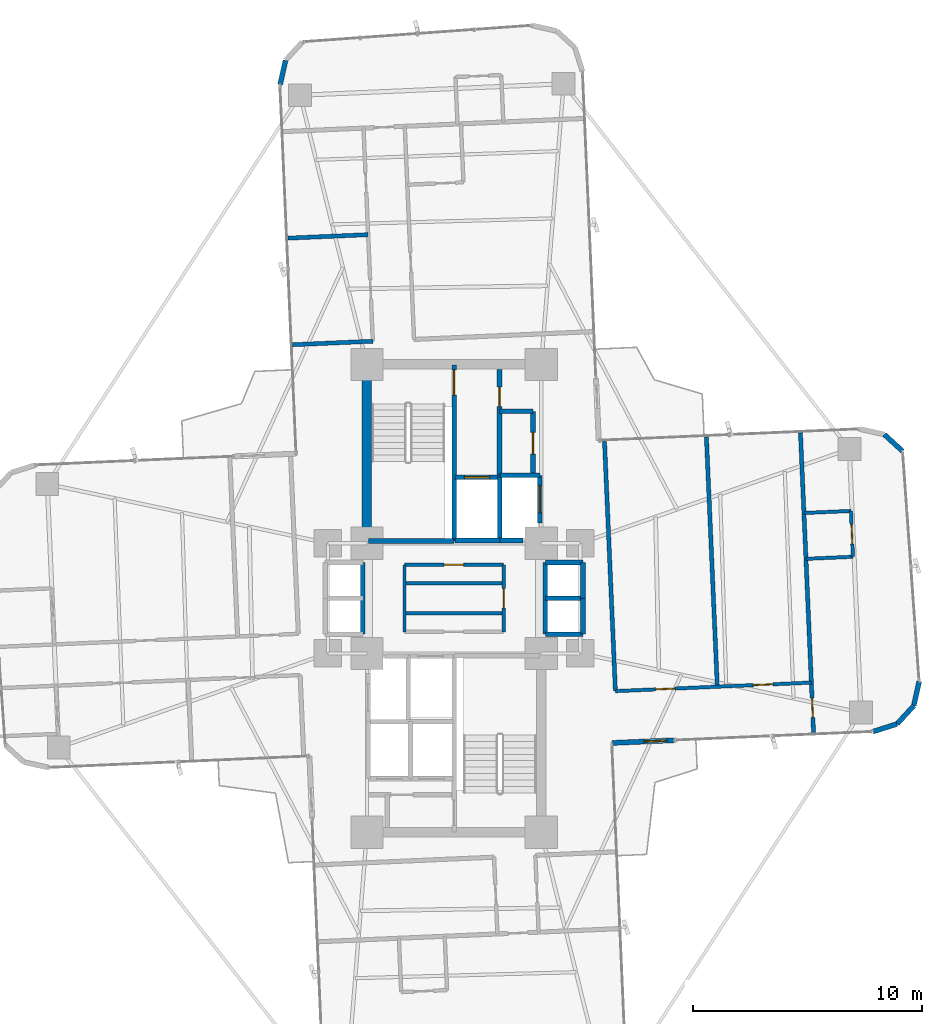
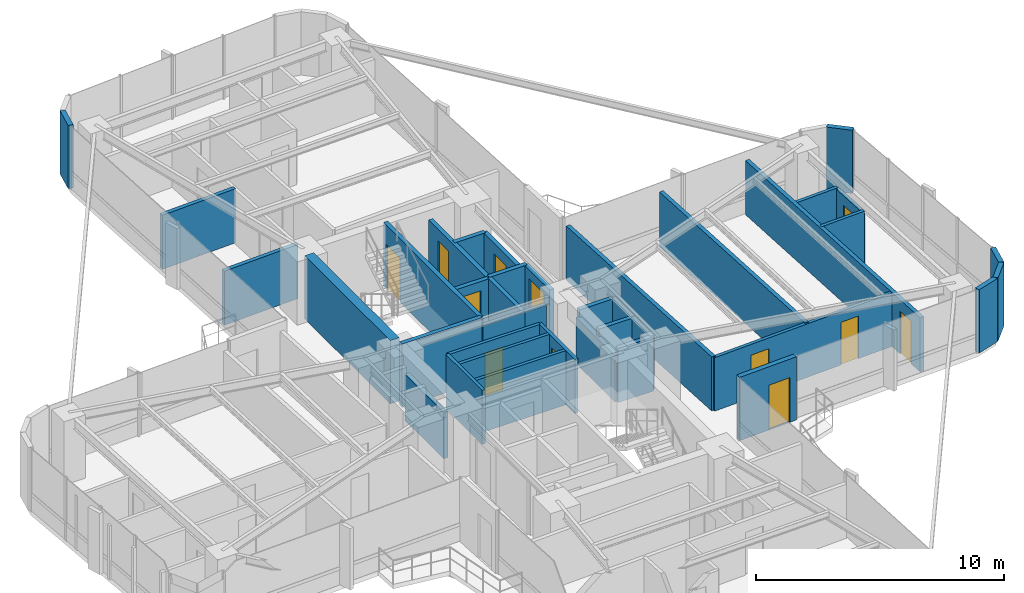
# One storey, part 24 of 26: 39 walls, 12 doors, 12 openings.
"""IFC4 building model written with IfcOpenShell, lengths in metres."""

from ifc_helpers import new_model, si_unit, direction, frame, frame_2d, origin, origin_2d, place, context, subcontext, project, spatial, rectangle, extrude, source, transform, mapped, material, layer, layer_set, type_object, element, fill, save


model = new_model("IFC4")

# Units and contexts
model_context = context("Model", 3, precision=1e-05, world=origin(), true_north=direction((0.0, 1.0)))
body_context = subcontext(model_context, "Body", "Model", "MODEL_VIEW")
ifc_project = project(units=[si_unit("LENGTHUNIT", "METRE"), si_unit("AREAUNIT", "SQUARE_METRE"), si_unit("VOLUMEUNIT", "CUBIC_METRE"), si_unit("PLANEANGLEUNIT", "RADIAN"), si_unit("MASSUNIT", "GRAM", prefix="KILO")], contexts=[model_context])

# Site, building, storey
site_placement = place(None, origin())
site = spatial("IfcSite", under=ifc_project, at=site_placement, CompositionType="ELEMENT")
building_placement = place(site_placement, origin())
building = spatial("IfcBuilding", under=site, at=building_placement, Name="Sahyath Konkavel Grand Hotel", CompositionType="ELEMENT")
storey_placement = place(building_placement, frame((0.0, 0.0, 124.85009765625)))
storey = spatial("IfcBuildingStorey", under=building, at=storey_placement, Name="L34", CompositionType="ELEMENT", Elevation=124.85009765625)

# Wall
ifc_material_1 = material(Name="Concrete C50/60", Category="concrete")
ifc_layer_1 = layer(ifc_material_1, 0.419921875)
ifc_layer_set_1 = layer_set([ifc_layer_1], Name="Concrete C50/60")
wall_type_1 = type_object("IfcWallType", Name="CWALL-420", PredefinedType="SHEAR", material=ifc_layer_set_1)
wall_1_placement = place(storey_placement, frame((-3.800048828125, 2.85009765625, 0.0), z_axis=(0.0, 0.0, 1.0), x_axis=(0.0, 1.0, 0.0)))
element("IfcWall", 1, at=wall_1_placement, inside=storey, type_object=wall_type_1, Name="L34 North Core Shear Wall W", PredefinedType="SHEAR", context=body_context, shape_type="SweptSolid", body=[
    extrude(rectangle(XDim=6.89990234375, YDim=0.419921875, at=frame_2d((3.449951171875, 0.0))), origin(), (0.0, 0.0, 1.0), 3.10986328125),
])

# Wall, opening, door
ifc_material_2 = material(Name="Warm Buff Sandstone Insulated Concrete C40/50", Category="masonry")
ifc_layer_2 = layer(ifc_material_2, 0.219970703125)
ifc_layer_set_2 = layer_set([ifc_layer_2], Name="Warm Buff Sandstone Insulated Concrete C40/50")
wall_type_2 = type_object("IfcWallType", Name="WLL-BALC-THRESH", PredefinedType="STANDARD", material=ifc_layer_set_2)
wall_2_placement = place(storey_placement, frame((6.881591796875, -6.305908203125, 0.0), z_axis=(0.0, 0.0, 1.0), x_axis=(0.999045894436, 0.043672655174, 0.0)))
wall_2 = element("IfcWall", 2, at=wall_2_placement, inside=storey, type_object=wall_type_2, Name="L34 Winter-Garden Threshold Wall 0", PredefinedType="STANDARD", context=body_context, shape_type="SweptSolid", body=[
    extrude(rectangle(XDim=2.7001953125, YDim=0.219970703125, at=frame_2d((1.35009765625, 0.0))), origin(), (0.0, 0.0, 1.0), 3.10986328125),
])
opening_1_placement = place(wall_2_placement, frame((1.39990234375, 0.0, 0.0)))
opening_1 = element("IfcOpeningElement", 3, at=opening_1_placement, cuts=wall_2, Name="Opening D-TR1", PredefinedType="OPENING", context=body_context, shape_type="SweptSolid", body=[
    extrude(rectangle(XDim=1.0, YDim=2.199951171875, at=frame_2d((0.5, 1.10009765625))), frame((0.0, 0.1201171875, 0.0), z_axis=(0.0, -1.0, 0.0), x_axis=(1.0, 0.0, 0.0)), (0.0, 0.0, 1.0), 0.239990234375),
])
ifc_material_3 = material(Name="Anodised Bronze Aluminium & Low-E Glazing", Category="aluminium")
door_type_1 = type_object("IfcDoorType", Name="DR-TERRACE-1000", OperationType="NOTDEFINED", PredefinedType="DOOR", material=ifc_material_3)
shared_shape_1 = source(origin(), body_context, "Body", "SweptSolid", [
    extrude(rectangle(XDim=1.0, YDim=0.050048828125, at=origin_2d()), origin(), (0.0, 0.0, 1.0), 2.199951171875),
])
door_1_placement = place(opening_1_placement, frame((0.5, 0.0, 0.0)))
door_1 = element("IfcDoor", 4, at=door_1_placement, inside=storey, type_object=door_type_1, Name="L34 Winter-Garden Terrace Door 0", OperationType="SINGLE_SWING_LEFT", OverallHeight=2.199951171875, OverallWidth=1.0, PredefinedType="DOOR", context=body_context, shape_type="MappedRepresentation", body=[
    mapped(shared_shape_1, transform((0.0, 0.0, 0.0), scale=1.0)),
])
fill(opening_1, door_1)

# Walls
for number, where, z_axis, x_axis, name in (
    (5, (18.270751953125, -5.80859375, 0.0), (0.0, 0.0, 1.0), (0.953721713582, 0.30069069331, 0.0), "L34 Rounded Corner Sandstone Pier 1"),
    (6, (19.3076171875, -5.481689453125, 0.0), (0.0, 0.0, 1.0), (0.675551721847, 0.737312600672, 0.0), "L34 Rounded Corner Sandstone Pier 2"),
):
    element("IfcWall", number, at=place(storey_placement, frame(where, z_axis=z_axis, x_axis=x_axis)), inside=storey, type_object=wall_type_2, Name=name, PredefinedType="STANDARD", context=body_context, shape_type="SweptSolid", body=[
        extrude(rectangle(XDim=1.087158203125, YDim=0.219970703125, at=frame_2d((0.54345703125, 0.0))), origin(), (0.0, 0.0, 1.0), 3.10986328125),
    ])
for number, where, z_axis, x_axis, name in (
    (7, (20.0419921875, -4.68017578125, 0.0), (0.0, 0.0, 1.0), (0.216288323511, 0.976329535102, 0.0), "L34 Rounded Corner Sandstone Pier 3"),
    (8, (19.5576171875, 6.4091796875, 0.0), (0.0, 0.0, 1.0), (-0.737210081318, 0.675663596772, 0.0), "L34 Rounded Corner Sandstone Pier 5"),
):
    element("IfcWall", number, at=place(storey_placement, frame(where, z_axis=z_axis, x_axis=x_axis)), inside=storey, type_object=wall_type_2, Name=name, PredefinedType="STANDARD", context=body_context, shape_type="SweptSolid", body=[
        extrude(rectangle(XDim=1.0869140625, YDim=0.219970703125, at=frame_2d((0.54345703125, 0.0))), origin(), (0.0, 0.0, 1.0), 3.10986328125),
    ])
wall_3_placement = place(storey_placement, frame((-7.3486328125, 23.451904296875, 0.0), z_axis=(0.0, 0.0, 1.0), x_axis=(-0.216454939174, -0.976292609471, 0.0)))
element("IfcWall", 9, at=wall_3_placement, inside=storey, type_object=wall_type_2, Name="L34 Rounded Corner Sandstone Pier 14", PredefinedType="STANDARD", context=body_context, shape_type="SweptSolid", body=[
    extrude(rectangle(XDim=1.08740234375, YDim=0.219970703125, at=frame_2d((0.543701171875, 0.0))), origin(), (0.0, 0.0, 1.0), 3.10986328125),
])

# Wall, opening, door
ifc_material_4 = material(Name="Concrete C40/50", Category="concrete")
ifc_layer_3 = layer(ifc_material_4, 0.199951171875)
ifc_layer_set_3 = layer_set([ifc_layer_3], Name="Concrete C40/50")
wall_type_3 = type_object("IfcWallType", Name="WLL-CORE-200", PredefinedType="SOLIDWALL", material=ifc_layer_set_3)
wall_4_placement = place(storey_placement, frame((0.0, 2.5, 0.0), z_axis=(0.0, 0.0, 1.0), x_axis=(0.0, 1.0, 0.0)))
wall_4 = element("IfcWall", 10, at=wall_4_placement, inside=storey, type_object=wall_type_3, Name="L34 Stair ST-1 Shaft Wall E", PredefinedType="SOLIDWALL", context=body_context, shape_type="SweptSolid", body=[
    extrude(rectangle(XDim=7.679931640625, YDim=0.199951171875, at=frame_2d((3.83984375, 0.0))), origin(), (0.0, 0.0, 1.0), 3.10986328125),
])
opening_2_placement = place(wall_4_placement, frame((6.360107421875, 0.0, 0.0)))
opening_2 = element("IfcOpeningElement", 11, at=opening_2_placement, cuts=wall_4, Name="Opening D-F12B", PredefinedType="OPENING", context=body_context, shape_type="SweptSolid", body=[
    extrude(rectangle(XDim=1.10009765625, YDim=2.14990234375, at=frame_2d((0.550048828125, 1.074951171875))), frame((0.0, 0.10986328125, 0.0), z_axis=(0.0, -1.0, 0.0), x_axis=(1.0, 0.0, 0.0)), (0.0, 0.0, 1.0), 0.219970703125),
])
ifc_material_5 = material(Name="Steel E350 Smokeproof Fire Door", Category="steel")
door_type_2 = type_object("IfcDoorType", Name="DR-FD120-1100", OperationType="NOTDEFINED", PredefinedType="DOOR", material=ifc_material_5)
shared_shape_2 = source(origin(), body_context, "Body", "SweptSolid", [
    extrude(rectangle(XDim=1.10009765625, YDim=0.050048828125, at=origin_2d()), origin(), (0.0, 0.0, 1.0), 2.14990234375),
])
door_2_placement = place(opening_2_placement, frame((0.550048828125, 0.0, 0.0)))
door_2 = element("IfcDoor", 12, at=door_2_placement, inside=storey, type_object=door_type_2, Name="L34 Stair ST-1 Fire Door", OperationType="SINGLE_SWING_RIGHT", OverallHeight=2.14990234375, OverallWidth=1.10009765625, PredefinedType="DOOR", context=body_context, shape_type="MappedRepresentation", body=[
    mapped(shared_shape_2, transform((0.0, 0.0, 0.0), scale=1.0)),
])
fill(opening_2, door_2)

# Wall
wall_5_placement = place(storey_placement, frame((-3.719970703125, 2.5, 0.0), z_axis=(0.0, 0.0, 1.0), x_axis=(1.0, 0.0, 0.0)))
element("IfcWall", 13, at=wall_5_placement, inside=storey, type_object=wall_type_3, Name="L34 Stair ST-1 Shaft Wall S", PredefinedType="SOLIDWALL", context=body_context, shape_type="SweptSolid", body=[
    extrude(rectangle(XDim=3.719970703125, YDim=0.199951171875, at=frame_2d((1.85986328125, 0.0))), origin(), (0.0, 0.0, 1.0), 3.10986328125),
])

# Wall, opening, door
wall_6_placement = place(storey_placement, frame((1.97998046875, 5.320068359375, 0.0), z_axis=(0.0, 0.0, 1.0), x_axis=(0.0, 1.0, 0.0)))
wall_6 = element("IfcWall", 14, at=wall_6_placement, inside=storey, type_object=wall_type_3, Name="L34 North Firefighting Lobby Wall E", PredefinedType="SOLIDWALL", context=body_context, shape_type="SweptSolid", body=[
    extrude(rectangle(XDim=4.659912109375, YDim=0.199951171875, at=frame_2d((2.330078125, 0.0))), origin(), (0.0, 0.0, 1.0), 2.659912109375),
])
opening_3_placement = place(wall_6_placement, frame((3.0400390625, 0.0, 0.0)))
opening_3 = element("IfcOpeningElement", 15, at=opening_3_placement, cuts=wall_6, Name="Opening D-F12D", PredefinedType="OPENING", context=body_context, shape_type="SweptSolid", body=[
    extrude(rectangle(XDim=0.85009765625, YDim=2.10009765625, at=frame_2d((0.425048828125, 1.050048828125))), frame((0.0, 0.10986328125, 0.0), z_axis=(0.0, -1.0, 0.0), x_axis=(1.0, 0.0, 0.0)), (0.0, 0.0, 1.0), 0.219970703125),
])
ifc_material_6 = material(Name="Steel E350 Core Fire Door", Category="steel")
door_type_3 = type_object("IfcDoorType", Name="DR-FD120-850", OperationType="NOTDEFINED", PredefinedType="DOOR", material=ifc_material_6)
shared_shape_3 = source(origin(), body_context, "Body", "SweptSolid", [
    extrude(rectangle(XDim=0.85009765625, YDim=0.050048828125, at=origin_2d()), origin(), (0.0, 0.0, 1.0), 2.10009765625),
])
door_3_placement = place(opening_3_placement, frame((0.425048828125, 0.0, 0.0)))
door_3 = element("IfcDoor", 16, at=door_3_placement, inside=storey, type_object=door_type_3, Name="L34 North Firefighting Lobby Door", OperationType="SINGLE_SWING_RIGHT", OverallHeight=2.10009765625, OverallWidth=0.85009765625, PredefinedType="DOOR", context=body_context, shape_type="MappedRepresentation", body=[
    mapped(shared_shape_3, transform((0.0, 0.0, 0.0), scale=1.0)),
])
fill(opening_3, door_3)

# Walls
wall_7_placement = place(storey_placement, frame((2.0, 2.5, 0.0), z_axis=(0.0, 0.0, 1.0), x_axis=(0.0, 1.0, 0.0)))
element("IfcWall", 17, at=wall_7_placement, inside=storey, type_object=wall_type_3, Name="L34 Partition SH-FFL1-E", PredefinedType="SOLIDWALL", context=body_context, shape_type="SweptSolid", body=[
    extrude(rectangle(XDim=2.780029296875, YDim=0.199951171875, at=frame_2d((1.39013671875, 0.0))), origin(), (0.0, 0.0, 1.0), 2.659912109375),
])
wall_8_placement = place(storey_placement, frame((0.050048828125, 2.52001953125, 0.0), z_axis=(0.0, 0.0, 1.0), x_axis=(1.0, 0.0, 0.0)))
element("IfcWall", 18, at=wall_8_placement, inside=storey, type_object=wall_type_3, Name="L34 Partition SH-FFL1-S", PredefinedType="SOLIDWALL", context=body_context, shape_type="SweptSolid", body=[
    extrude(rectangle(XDim=1.949951171875, YDim=0.199951171875, at=frame_2d((0.97509765625, 0.0))), origin(), (0.0, 0.0, 1.0), 2.659912109375),
])

# Wall, opening, door
wall_9_placement = place(storey_placement, frame((0.050048828125, 5.280029296875, 0.0), z_axis=(0.0, 0.0, 1.0), x_axis=(1.0, 0.0, 0.0)))
wall_9 = element("IfcWall", 19, at=wall_9_placement, inside=storey, type_object=wall_type_3, Name="L34 Partition SH-FFL1-N", PredefinedType="SOLIDWALL", context=body_context, shape_type="SweptSolid", body=[
    extrude(rectangle(XDim=1.929931640625, YDim=0.199951171875, at=frame_2d((0.96484375, 0.0))), origin(), (0.0, 0.0, 1.0), 2.659912109375),
])
opening_4_placement = place(wall_9_placement, frame((0.39990234375, 0.0, 0.0)))
opening_4 = element("IfcOpeningElement", 20, at=opening_4_placement, cuts=wall_9, Name="Opening LD-11", PredefinedType="OPENING", context=body_context, shape_type="SweptSolid", body=[
    extrude(rectangle(XDim=1.10009765625, YDim=2.199951171875, at=frame_2d((0.550048828125, 1.10009765625))), frame((0.0, 0.10986328125, 0.0), z_axis=(0.0, -1.0, 0.0), x_axis=(1.0, 0.0, 0.0)), (0.0, 0.0, 1.0), 0.219970703125),
])
ifc_material_7 = material(Name="Bronze Lift Landing Door 1100")
door_type_4 = type_object("IfcDoorType", Name="DR-LIFT-1100", OperationType="DOUBLE_DOOR_SLIDING", PredefinedType="DOOR", material=ifc_material_7)
shared_shape_4 = source(origin(), body_context, "Body", "SweptSolid", [
    extrude(rectangle(XDim=1.10009765625, YDim=0.050048828125, at=origin_2d()), origin(), (0.0, 0.0, 1.0), 2.199951171875),
])
door_4_placement = place(opening_4_placement, frame((0.550048828125, 0.0, 0.0)))
door_4 = element("IfcDoor", 21, at=door_4_placement, inside=storey, type_object=door_type_4, Name="L34 Lift FFL-1 Landing Door", OperationType="DOUBLE_DOOR_SLIDING", OverallHeight=2.199951171875, OverallWidth=1.10009765625, PredefinedType="DOOR", context=body_context, shape_type="MappedRepresentation", body=[
    mapped(shared_shape_4, transform((0.0, 0.0, 0.0), scale=1.0)),
])
fill(opening_4, door_4)

# Walls
wall_10_placement = place(storey_placement, frame((2.0, 2.52001953125, 0.0), z_axis=(0.0, 0.0, 1.0), x_axis=(1.0, 0.0, 0.0)))
element("IfcWall", 22, at=wall_10_placement, inside=storey, type_object=wall_type_3, Name="L34 Partition SH-SVL1-S", PredefinedType="SOLIDWALL", context=body_context, shape_type="SweptSolid", body=[
    extrude(rectangle(XDim=1.0, YDim=0.199951171875, at=frame_2d((0.5, 0.0))), origin(), (0.0, 0.0, 1.0), 2.659912109375),
])
wall_11_placement = place(storey_placement, frame((2.0, 5.360107421875, 0.0), z_axis=(0.0, 0.0, 1.0), x_axis=(1.0, 0.0, 0.0)))
element("IfcWall", 23, at=wall_11_placement, inside=storey, type_object=wall_type_3, Name="L34 Partition SH-SVL1-N", PredefinedType="SOLIDWALL", context=body_context, shape_type="SweptSolid", body=[
    extrude(rectangle(XDim=1.739990234375, YDim=0.199951171875, at=frame_2d((0.8701171875, 0.0))), origin(), (0.0, 0.0, 1.0), 2.659912109375),
])

# Wall, opening, door
wall_12_placement = place(storey_placement, frame((3.739990234375, 3.280029296875, 0.0), z_axis=(0.0, 0.0, 1.0), x_axis=(0.0, 1.0, 0.0)))
wall_12 = element("IfcWall", 24, at=wall_12_placement, inside=storey, type_object=wall_type_3, Name="L34 Partition SH-SVL1-E", PredefinedType="SOLIDWALL", context=body_context, shape_type="SweptSolid", body=[
    extrude(rectangle(XDim=2.080078125, YDim=0.199951171875, at=frame_2d((1.0400390625, 0.0))), origin(), (0.0, 0.0, 1.0), 2.659912109375),
])
opening_5_placement = place(wall_12_placement, frame((0.43994140625, 0.0, 0.0)))
opening_5 = element("IfcOpeningElement", 25, at=opening_5_placement, cuts=wall_12, Name="Opening LD-12", PredefinedType="OPENING", context=body_context, shape_type="SweptSolid", body=[
    extrude(rectangle(XDim=1.199951171875, YDim=2.199951171875, at=frame_2d((0.60009765625, 1.10009765625))), frame((0.0, 0.10986328125, 0.0), z_axis=(0.0, -1.0, 0.0), x_axis=(1.0, 0.0, 0.0)), (0.0, 0.0, 1.0), 0.219970703125),
])
ifc_material_8 = material(Name="Stainless Steel Lift Landing Door 1200", Category="steel")
door_type_5 = type_object("IfcDoorType", Name="DR-LIFT-1200", OperationType="DOUBLE_DOOR_SLIDING", PredefinedType="DOOR", material=ifc_material_8)
shared_shape_5 = source(origin(), body_context, "Body", "SweptSolid", [
    extrude(rectangle(XDim=1.199951171875, YDim=0.050048828125, at=origin_2d()), origin(), (0.0, 0.0, 1.0), 2.199951171875),
])
door_5_placement = place(opening_5_placement, frame((0.60009765625, 0.0, 0.0)))
door_5 = element("IfcDoor", 26, at=door_5_placement, inside=storey, type_object=door_type_5, Name="L34 Service Lift SVL-1 Landing Door", OperationType="DOUBLE_DOOR_SLIDING", OverallHeight=2.199951171875, OverallWidth=1.199951171875, PredefinedType="DOOR", context=body_context, shape_type="MappedRepresentation", body=[
    mapped(shared_shape_5, transform((0.0, 0.0, 0.0), scale=1.0)),
])
fill(opening_5, door_5)

# Walls
wall_13_placement = place(storey_placement, frame((3.97998046875, -1.56005859375, 0.0), z_axis=(0.0, 0.0, 1.0), x_axis=(0.0, 1.0, 0.0)))
element("IfcWall", 27, at=wall_13_placement, inside=storey, type_object=wall_type_3, Name="L34 Partition SH-PL56-W", PredefinedType="SOLIDWALL", context=body_context, shape_type="SweptSolid", body=[
    extrude(rectangle(XDim=3.1201171875, YDim=0.199951171875, at=frame_2d((1.56005859375, 0.0))), origin(), (0.0, 0.0, 1.0), 2.27978515625),
])
for number, where, z_axis, x_axis, name in (
    (28, (3.97998046875, 1.56005859375, 0.0), (0.0, 0.0, 1.0), (1.0, 0.0, 0.0), "L34 Partition SH-PL56-N"),
    (29, (3.97998046875, -1.56005859375, 0.0), (0.0, 0.0, 1.0), (1.0, 0.0, 0.0), "L34 Partition SH-PL56-S"),
    (30, (3.97998046875, 0.0, 0.0), (0.0, 0.0, 1.0), (1.0, 0.0, 0.0), "L34 Partition SH-PL56-M"),
):
    element("IfcWall", number, at=place(storey_placement, frame(where, z_axis=z_axis, x_axis=x_axis)), inside=storey, type_object=wall_type_3, Name=name, PredefinedType="SOLIDWALL", context=body_context, shape_type="SweptSolid", body=[
        extrude(rectangle(XDim=1.64013671875, YDim=0.199951171875, at=frame_2d((0.820068359375, 0.0))), origin(), (0.0, 0.0, 1.0), 2.659912109375),
    ])
for number, where, z_axis, x_axis, name in (
    (31, (5.6201171875, 0.0, 0.0), (0.0, 0.0, 1.0), (0.0, 1.0, 0.0), "L34 Partition SH-PL5-E"),
    (32, (5.6201171875, -1.56005859375, 0.0), (0.0, 0.0, 1.0), (0.0, 1.0, 0.0), "L34 Partition SH-PL6-E"),
):
    element("IfcWall", number, at=place(storey_placement, frame(where, z_axis=z_axis, x_axis=x_axis)), inside=storey, type_object=wall_type_3, Name=name, PredefinedType="SOLIDWALL", context=body_context, shape_type="SweptSolid", body=[
        extrude(rectangle(XDim=1.56005859375, YDim=0.199951171875, at=frame_2d((0.780029296875, 0.0))), origin(), (0.0, 0.0, 1.0), 2.659912109375),
    ])
wall_14_placement = place(storey_placement, frame((-3.97998046875, -1.56005859375, 0.0), z_axis=(0.0, 0.0, 1.0), x_axis=(0.0, 1.0, 0.0)))
element("IfcWall", 33, at=wall_14_placement, inside=storey, type_object=wall_type_3, Name="L34 Partition SH-SL12-E", PredefinedType="SOLIDWALL", context=body_context, shape_type="SweptSolid", body=[
    extrude(rectangle(XDim=3.1201171875, YDim=0.199951171875, at=frame_2d((1.56005859375, 0.0))), origin(), (0.0, 0.0, 1.0), 2.27978515625),
])

# Wall, opening, door
wall_15_placement = place(storey_placement, frame((3.43994140625, 5.3798828125, 0.0), z_axis=(0.0, 0.0, 1.0), x_axis=(0.0, 1.0, 0.0)))
wall_15 = element("IfcWall", 34, at=wall_15_placement, inside=storey, type_object=wall_type_3, Name="L34 Reclaimed North Core Wall E", PredefinedType="SOLIDWALL", context=body_context, shape_type="SweptSolid", body=[
    extrude(rectangle(XDim=2.77001953125, YDim=0.199951171875, at=frame_2d((1.385009765625, 0.0))), origin(), (0.0, 0.0, 1.0), 2.659912109375),
])
opening_6_placement = place(wall_15_placement, frame((0.89990234375, 0.0, 0.0)))
opening_6 = element("IfcOpeningElement", 35, at=opening_6_placement, cuts=wall_15, Name="Opening D-F06B", PredefinedType="OPENING", context=body_context, shape_type="SweptSolid", body=[
    extrude(rectangle(XDim=0.949951171875, YDim=2.14990234375, at=frame_2d((0.47509765625, 1.074951171875))), frame((0.0, 0.10986328125, 0.0), z_axis=(0.0, -1.0, 0.0), x_axis=(1.0, 0.0, 0.0)), (0.0, 0.0, 1.0), 0.219970703125),
])
ifc_material_9 = material(Name="Teak Veneer Fire-Rated Guest Entrance Door")
door_type_6 = type_object("IfcDoorType", Name="DR-FD60-950", OperationType="NOTDEFINED", PredefinedType="DOOR", material=ifc_material_9)
shared_shape_6 = source(origin(), body_context, "Body", "SweptSolid", [
    extrude(rectangle(XDim=0.949951171875, YDim=0.050048828125, at=origin_2d()), origin(), (0.0, 0.0, 1.0), 2.14990234375),
])
door_6_placement = place(opening_6_placement, frame((0.47509765625, 0.0, 0.0)))
door_6 = element("IfcDoor", 36, at=door_6_placement, inside=storey, type_object=door_type_6, Name="L34 Door NC-REC1-D", OperationType="SINGLE_SWING_LEFT", OverallHeight=2.14990234375, OverallWidth=0.949951171875, PredefinedType="DOOR", context=body_context, shape_type="MappedRepresentation", body=[
    mapped(shared_shape_6, transform((0.0, 0.0, 0.0), scale=1.0)),
])
fill(opening_6, door_6)

# Walls
wall_16_placement = place(storey_placement, frame((1.97998046875, 8.14990234375, 0.0), z_axis=(0.0, 0.0, 1.0), x_axis=(1.0, 0.0, 0.0)))
element("IfcWall", 37, at=wall_16_placement, inside=storey, type_object=wall_type_3, Name="L34 Partition NC-REC-N", PredefinedType="SOLIDWALL", context=body_context, shape_type="SweptSolid", body=[
    extrude(rectangle(XDim=1.4599609375, YDim=0.199951171875, at=frame_2d((0.72998046875, 0.0))), origin(), (0.0, 0.0, 1.0), 2.659912109375),
])
ifc_material_10 = material(Name="Twin-Stud Acoustic Gypsum Plasterboard Partition")
ifc_layer_4 = layer(ifc_material_10, 0.179931640625)
ifc_layer_set_4 = layer_set([ifc_layer_4], Name="Twin-Stud Acoustic Gypsum Plasterboard Partition")
wall_type_4 = type_object("IfcWallType", Name="WLL-DEMISE-180", PredefinedType="PARTITIONING", material=ifc_layer_set_4)
wall_17_placement = place(storey_placement, frame((7.033203125, -4.047119140625, 0.0), z_axis=(0.0, 0.0, 1.0), x_axis=(-0.043609267053, 0.999048663393, 0.0)))
element("IfcWall", 38, at=wall_17_placement, inside=storey, type_object=wall_type_4, Name="L34 Partition E-G6I", PredefinedType="PARTITIONING", context=body_context, shape_type="SweptSolid", body=[
    extrude(rectangle(XDim=10.89990234375, YDim=0.179931640625, at=frame_2d((5.449951171875, 0.0))), origin(), (0.0, 0.0, 1.0), 2.659912109375),
])
wall_18_placement = place(storey_placement, frame((11.47509765625, -3.85302734375, 0.0), z_axis=(0.0, 0.0, 1.0), x_axis=(-0.043631622609, 0.999047687305, 0.0)))
element("IfcWall", 39, at=wall_18_placement, inside=storey, type_object=wall_type_4, Name="L34 Partition E-ESL6-DEM", PredefinedType="PARTITIONING", context=body_context, shape_type="SweptSolid", body=[
    extrude(rectangle(XDim=10.900146484375, YDim=0.179931640625, at=frame_2d((5.4501953125, 0.0))), origin(), (0.0, 0.0, 1.0), 2.659912109375),
])

# Wall, opening, door
wall_19_placement = place(storey_placement, frame((15.6708984375, -5.8720703125, 0.0), z_axis=(0.0, 0.0, 1.0), x_axis=(-0.043609488494, 0.999048653727, 0.0)))
wall_19 = element("IfcWall", 40, at=wall_19_placement, inside=storey, type_object=wall_type_4, Name="L34 Partition E-ETIP-END", PredefinedType="PARTITIONING", context=body_context, shape_type="SweptSolid", body=[
    extrude(rectangle(XDim=13.10009765625, YDim=0.179931640625, at=frame_2d((6.550048828125, 0.0))), origin(), (0.0, 0.0, 1.0), 2.659912109375),
])
opening_7_placement = place(wall_19_placement, frame((0.675048828125, 0.0, 0.0)))
opening_7 = element("IfcOpeningElement", 41, at=opening_7_placement, cuts=wall_19, Name="Opening D-F06D", PredefinedType="OPENING", context=body_context, shape_type="SweptSolid", body=[
    extrude(rectangle(XDim=0.85009765625, YDim=2.10009765625, at=frame_2d((0.425048828125, 1.050048828125))), frame((0.0, 0.10009765625, 0.0), z_axis=(0.0, -1.0, 0.0), x_axis=(1.0, 0.0, 0.0)), (0.0, 0.0, 1.0), 0.199951171875),
])
ifc_material_11 = material(Name="Fire-Rated Shaft Access Door")
door_type_7 = type_object("IfcDoorType", Name="DR-FD60-850", OperationType="NOTDEFINED", PredefinedType="DOOR", material=ifc_material_11)
door_7_placement = place(opening_7_placement, frame((0.425048828125, 0.0, 0.0)))
door_7 = element("IfcDoor", 42, at=door_7_placement, inside=storey, type_object=door_type_7, Name="L34 Door E-ETIP-ED", OperationType="SINGLE_SWING_RIGHT", OverallHeight=2.10009765625, OverallWidth=0.85009765625, PredefinedType="DOOR", context=body_context, shape_type="MappedRepresentation", body=[
    mapped(shared_shape_3, transform((0.0, 0.0, 0.0), scale=1.0)),
])
fill(opening_7, door_7)

# Walls
for number, where, z_axis, x_axis, name in (
    (43, (-3.542236328125, 11.206298828125, 0.0), (0.0, 0.0, 1.0), (-0.999046129111, -0.04366728647, 0.0), "L34 Partition N-INL"),
    (44, (-3.7451171875, 15.851806640625, 0.0), (0.0, 0.0, 1.0), (-0.999049169846, -0.043597663116, 0.0), "L34 Partition N-N4L1-DEM"),
):
    element("IfcWall", number, at=place(storey_placement, frame(where, z_axis=z_axis, x_axis=x_axis)), inside=storey, type_object=wall_type_4, Name=name, PredefinedType="PARTITIONING", context=body_context, shape_type="SweptSolid", body=[
        extrude(rectangle(XDim=3.5, YDim=0.179931640625, at=frame_2d((1.75, 0.0))), origin(), (0.0, 0.0, 1.0), 2.659912109375),
    ])

# Wall, opening, door
ifc_material_12 = material(Name="Fire-Rated Gypsum Plasterboard Partition")
ifc_layer_5 = layer(ifc_material_12, 0.14990234375)
ifc_layer_set_5 = layer_set([ifc_layer_5], Name="Fire-Rated Gypsum Plasterboard Partition")
wall_type_5 = type_object("IfcWallType", Name="WLL-PART-150", PredefinedType="PARTITIONING", material=ifc_layer_set_5)
wall_20_placement = place(storey_placement, frame((2.159912109375, -1.4599609375, 0.0), z_axis=(0.0, 0.0, 1.0), x_axis=(0.0, 1.0, 0.0)))
wall_20 = element("IfcWall", 45, at=wall_20_placement, inside=storey, type_object=wall_type_5, Name="L34 Partition CC-2E", PredefinedType="PARTITIONING", context=body_context, shape_type="SweptSolid", body=[
    extrude(rectangle(XDim=2.919921875, YDim=0.14990234375, at=frame_2d((1.4599609375, 0.0))), origin(), (0.0, 0.0, 1.0), 2.659912109375),
])
opening_8_placement = place(wall_20_placement, frame((1.034912109375, 0.0, 0.0)))
opening_8 = element("IfcOpeningElement", 46, at=opening_8_placement, cuts=wall_20, Name="Opening D-F06D", PredefinedType="OPENING", context=body_context, shape_type="SweptSolid", body=[
    extrude(rectangle(XDim=0.85009765625, YDim=2.10009765625, at=frame_2d((0.425048828125, 1.050048828125))), frame((0.0, 0.0849609375, 0.0), z_axis=(0.0, -1.0, 0.0), x_axis=(1.0, 0.0, 0.0)), (0.0, 0.0, 1.0), 0.169921875),
])
door_8_placement = place(opening_8_placement, frame((0.425048828125, 0.0, 0.0)))
door_8 = element("IfcDoor", 47, at=door_8_placement, inside=storey, type_object=door_type_7, Name="L34 Door CC-D2B", OperationType="SINGLE_SWING_LEFT", OverallHeight=2.10009765625, OverallWidth=0.85009765625, PredefinedType="DOOR", context=body_context, shape_type="MappedRepresentation", body=[
    mapped(shared_shape_3, transform((0.0, 0.0, 0.0), scale=1.0)),
])
fill(opening_8, door_8)

# Wall
wall_21_placement = place(storey_placement, frame((-2.159912109375, -1.4599609375, 0.0), z_axis=(0.0, 0.0, 1.0), x_axis=(0.0, 1.0, 0.0)))
element("IfcWall", 48, at=wall_21_placement, inside=storey, type_object=wall_type_5, Name="L34 Partition CC-2W", PredefinedType="PARTITIONING", context=body_context, shape_type="SweptSolid", body=[
    extrude(rectangle(XDim=2.919921875, YDim=0.14990234375, at=frame_2d((1.4599609375, 0.0))), origin(), (0.0, 0.0, 1.0), 2.659912109375),
])

# Wall, opening, door
wall_22_placement = place(storey_placement, frame((-2.159912109375, 1.4599609375, 0.0), z_axis=(0.0, 0.0, 1.0), x_axis=(1.0, 0.0, 0.0)))
wall_22 = element("IfcWall", 49, at=wall_22_placement, inside=storey, type_object=wall_type_5, Name="L34 Partition CC-2N", PredefinedType="PARTITIONING", context=body_context, shape_type="SweptSolid", body=[
    extrude(rectangle(XDim=4.31982421875, YDim=0.14990234375, at=frame_2d((2.159912109375, 0.0))), origin(), (0.0, 0.0, 1.0), 2.659912109375),
])
opening_9_placement = place(wall_22_placement, frame((1.72998046875, 0.0, 0.0)))
opening_9 = element("IfcOpeningElement", 50, at=opening_9_placement, cuts=wall_22, Name="Opening D-F06D", PredefinedType="OPENING", context=body_context, shape_type="SweptSolid", body=[
    extrude(rectangle(XDim=0.85009765625, YDim=2.10009765625, at=frame_2d((0.425048828125, 1.050048828125))), frame((0.0, 0.0849609375, 0.0), z_axis=(0.0, -1.0, 0.0), x_axis=(1.0, 0.0, 0.0)), (0.0, 0.0, 1.0), 0.169921875),
])
door_9_placement = place(opening_9_placement, frame((0.425048828125, 0.0, 0.0)))
door_9 = element("IfcDoor", 51, at=door_9_placement, inside=storey, type_object=door_type_7, Name="L34 Door CC-D2A", OperationType="SINGLE_SWING_RIGHT", OverallHeight=2.10009765625, OverallWidth=0.85009765625, PredefinedType="DOOR", context=body_context, shape_type="MappedRepresentation", body=[
    mapped(shared_shape_3, transform((0.0, 0.0, 0.0), scale=1.0)),
])
fill(opening_9, door_9)

# Walls
for number, where, z_axis, x_axis, name in (
    (52, (-2.159912109375, 0.659912109375, 0.0), (0.0, 0.0, 1.0), (1.0, 0.0, 0.0), "L34 Partition CC-2M1"),
    (53, (-2.159912109375, -0.659912109375, 0.0), (0.0, 0.0, 1.0), (1.0, 0.0, 0.0), "L34 Partition CC-2M2"),
):
    element("IfcWall", number, at=place(storey_placement, frame(where, z_axis=z_axis, x_axis=x_axis)), inside=storey, type_object=wall_type_5, Name=name, PredefinedType="PARTITIONING", context=body_context, shape_type="SweptSolid", body=[
        extrude(rectangle(XDim=4.31982421875, YDim=0.14990234375, at=frame_2d((2.159912109375, 0.0))), origin(), (0.0, 0.0, 1.0), 2.659912109375),
    ])

# Wall, openings, doors
wall_23_placement = place(storey_placement, frame((7.033203125, -4.047119140625, 0.0), z_axis=(0.0, 0.0, 1.0), x_axis=(0.999047735077, 0.04363052873, 0.0)))
wall_23 = element("IfcWall", 54, at=wall_23_placement, inside=storey, type_object=wall_type_5, Name="L34 Partition E-G6W", PredefinedType="PARTITIONING", context=body_context, shape_type="SweptSolid", body=[
    extrude(rectangle(XDim=8.550048828125, YDim=0.14990234375, at=frame_2d((4.27490234375, 0.0))), origin(), (0.0, 0.0, 1.0), 2.6298828125),
])
opening_10_placement = place(wall_23_placement, frame((1.748046875, 0.0, 0.0)))
opening_10 = element("IfcOpeningElement", 55, at=opening_10_placement, cuts=wall_23, Name="Opening D-F06D", PredefinedType="OPENING", context=body_context, shape_type="SweptSolid", body=[
    extrude(rectangle(XDim=0.85009765625, YDim=2.10009765625, at=frame_2d((0.425048828125, 1.050048828125))), frame((0.0, 0.0849609375, 0.0), z_axis=(0.0, -1.0, 0.0), x_axis=(1.0, 0.0, 0.0)), (0.0, 0.0, 1.0), 0.169921875),
])
opening_11_placement = place(wall_23_placement, frame((6.02294921875, 0.0, 0.0)))
opening_11 = element("IfcOpeningElement", 56, at=opening_11_placement, cuts=wall_23, Name="Opening D-F06D", PredefinedType="OPENING", context=body_context, shape_type="SweptSolid", body=[
    extrude(rectangle(XDim=0.85009765625, YDim=2.10009765625, at=frame_2d((0.425048828125, 1.050048828125))), frame((0.0, 0.0849609375, 0.0), z_axis=(0.0, -1.0, 0.0), x_axis=(1.0, 0.0, 0.0)), (0.0, 0.0, 1.0), 0.169921875),
])
door_10_placement = place(opening_10_placement, frame((0.425048828125, 0.0, 0.0)))
door_10 = element("IfcDoor", 57, at=door_10_placement, inside=storey, type_object=door_type_7, Name="L34 Door E-ESL6-D", OperationType="SINGLE_SWING_LEFT", OverallHeight=2.10009765625, OverallWidth=0.85009765625, PredefinedType="DOOR", context=body_context, shape_type="MappedRepresentation", body=[
    mapped(shared_shape_3, transform((0.0, 0.0, 0.0), scale=1.0)),
])
fill(opening_10, door_10)
door_11_placement = place(opening_11_placement, frame((0.425048828125, 0.0, 0.0)))
door_11 = element("IfcDoor", 58, at=door_11_placement, inside=storey, type_object=door_type_7, Name="L34 Door E-ED6-D", OperationType="SINGLE_SWING_RIGHT", OverallHeight=2.10009765625, OverallWidth=0.85009765625, PredefinedType="DOOR", context=body_context, shape_type="MappedRepresentation", body=[
    mapped(shared_shape_3, transform((0.0, 0.0, 0.0), scale=1.0)),
])
fill(opening_11, door_11)

# Walls
wall_24_placement = place(storey_placement, frame((15.252197265625, 3.71875, 0.0), z_axis=(0.0, 0.0, 1.0), x_axis=(0.999044437927, 0.043705961225, 0.0)))
element("IfcWall", 59, at=wall_24_placement, inside=storey, type_object=wall_type_5, Name="L34 Partition E-ETIP-BN", PredefinedType="PARTITIONING", context=body_context, shape_type="SweptSolid", body=[
    extrude(rectangle(XDim=2.050048828125, YDim=0.14990234375, at=frame_2d((1.02490234375, 0.0))), origin(), (0.0, 0.0, 1.0), 2.6298828125),
])
wall_25_placement = place(storey_placement, frame((15.339599609375, 1.720703125, 0.0), z_axis=(0.0, 0.0, 1.0), x_axis=(0.999044437927, 0.043705961225, 0.0)))
element("IfcWall", 60, at=wall_25_placement, inside=storey, type_object=wall_type_5, Name="L34 Partition E-ETIP-BS", PredefinedType="PARTITIONING", context=body_context, shape_type="SweptSolid", body=[
    extrude(rectangle(XDim=2.050048828125, YDim=0.14990234375, at=frame_2d((1.02490234375, 0.0))), origin(), (0.0, 0.0, 1.0), 2.659912109375),
])

# Wall, opening, door
wall_26_placement = place(storey_placement, frame((17.3876953125, 1.810302734375, 0.0), z_axis=(0.0, 0.0, 1.0), x_axis=(-0.043702097908, 0.999044606931, 0.0)))
wall_26 = element("IfcWall", 61, at=wall_26_placement, inside=storey, type_object=wall_type_5, Name="L34 Partition E-ETIP-BE", PredefinedType="PARTITIONING", context=body_context, shape_type="SweptSolid", body=[
    extrude(rectangle(XDim=2.0, YDim=0.14990234375, at=frame_2d((1.0, 0.0))), origin(), (0.0, 0.0, 1.0), 2.579833984375),
])
opening_12_placement = place(wall_26_placement, frame((0.550048828125, 0.0, 0.0)))
opening_12 = element("IfcOpeningElement", 62, at=opening_12_placement, cuts=wall_26, Name="Opening D-BT85", PredefinedType="OPENING", context=body_context, shape_type="SweptSolid", body=[
    extrude(rectangle(XDim=0.85009765625, YDim=2.10009765625, at=frame_2d((0.425048828125, 1.050048828125))), frame((0.0, 0.0849609375, 0.0), z_axis=(0.0, -1.0, 0.0), x_axis=(1.0, 0.0, 0.0)), (0.0, 0.0, 1.0), 0.169921875),
])
ifc_material_13 = material(Name="Moisture-Resistant Teak Bathroom Door")
door_type_8 = type_object("IfcDoorType", Name="DR-BATH-850", OperationType="NOTDEFINED", PredefinedType="DOOR", material=ifc_material_13)
door_12_placement = place(opening_12_placement, frame((0.425048828125, 0.0, 0.0)))
door_12 = element("IfcDoor", 63, at=door_12_placement, inside=storey, type_object=door_type_8, Name="L34 Door E-ETIP-BD", OperationType="SINGLE_SWING_LEFT", OverallHeight=2.10009765625, OverallWidth=0.85009765625, PredefinedType="DOOR", context=body_context, shape_type="MappedRepresentation", body=[
    mapped(shared_shape_3, transform((0.0, 0.0, 0.0), scale=1.0)),
])
fill(opening_12, door_12)

save(model, "model.ifc")
